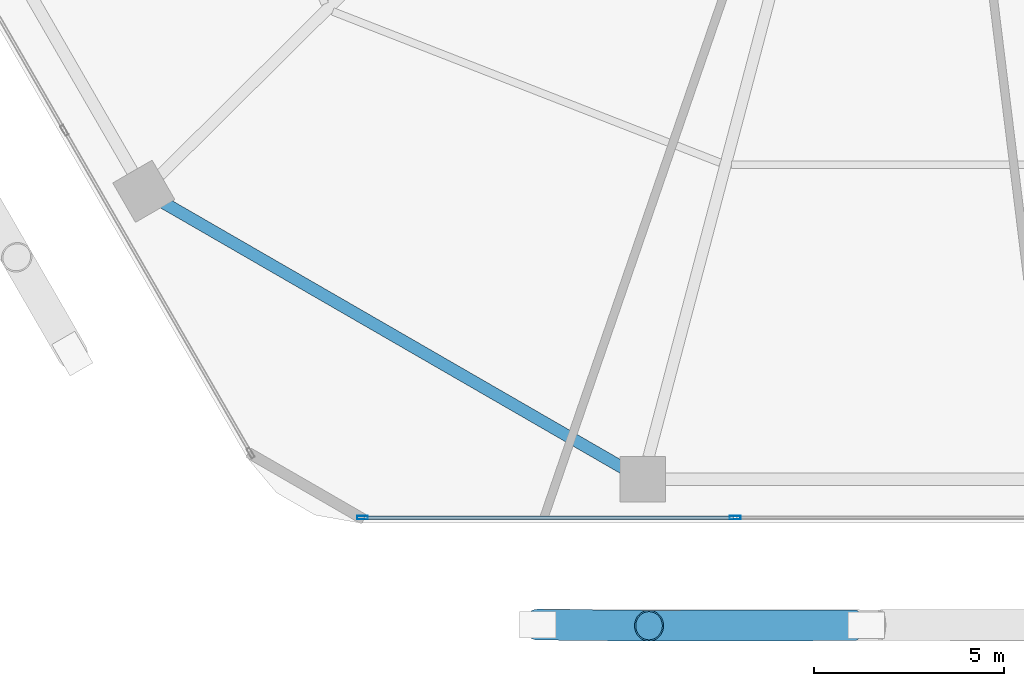
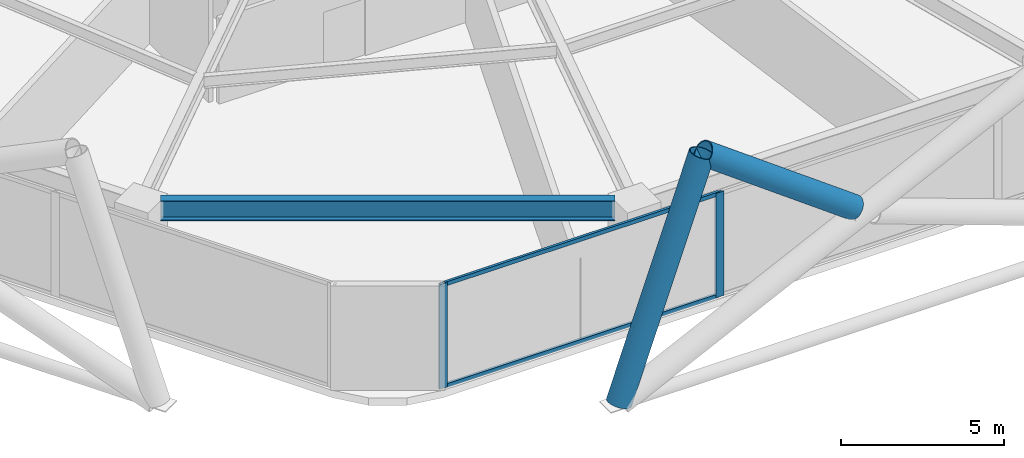
# One storey, part 3 of 28: 6 members, 1 beam, 1 element without a shape of its own.
"""IFC4 building model written with IfcOpenShell, lengths in metres."""

from ifc_helpers import new_model, si_unit, direction, frame, origin, origin_2d, place, context, subcontext, project, spatial, hollow_rectangle, hollow_circle, i_section, extrude, material, material_profile, profile_set, type_object, element, aggregate, save


model = new_model("IFC4")

# Units and contexts
model_context = context("Model", 3, precision=1e-05, world=origin(), true_north=direction((0.0, 1.0)))
body_context = subcontext(model_context, "Body", "Model", "MODEL_VIEW")
ifc_project = project(units=[si_unit("LENGTHUNIT", "METRE"), si_unit("AREAUNIT", "SQUARE_METRE"), si_unit("VOLUMEUNIT", "CUBIC_METRE"), si_unit("PLANEANGLEUNIT", "RADIAN"), si_unit("MASSUNIT", "GRAM", prefix="KILO")], contexts=[model_context])

# Site, building, storey
site_placement = place(None, origin())
site = spatial("IfcSite", under=ifc_project, at=site_placement, CompositionType="ELEMENT")
building_placement = place(site_placement, origin())
building = spatial("IfcBuilding", under=site, at=building_placement, Name="Zuhravey Tower", CompositionType="ELEMENT")
storey_placement = place(building_placement, frame((0.0, 0.0, 24.60009765625)))
storey = spatial("IfcBuildingStorey", under=building, at=storey_placement, Name="L06", CompositionType="ELEMENT", Elevation=24.60009765625)

# Curtain wall, members
ifc_material_1 = material(Name="Thermally broken anodised aluminium", Category="aluminium")
curtain_wall_type = type_object("IfcCurtainWallType", Name="School Low-E Unitised Curtain Wall CW1", PredefinedType="NOTDEFINED", material=ifc_material_1)
curtain_wall_placement = place(storey_placement, origin())
curtain_wall = element("IfcCurtainWall", 1, at=curtain_wall_placement, inside=storey, type_object=curtain_wall_type, Name="L06 CW1 CW-L06-F5-1", PredefinedType="NOTDEFINED")
ifc_material_2 = material(Name="Anodised aluminium", Category="aluminium")
ifc_material_profile_1 = material_profile(ifc_material_2, hollow_rectangle(XDim=0.090087890625, YDim=0.284912109375, WallThickness=0.0048828125, at=origin_2d()), Name="ALU-RHS-90x285x5")
ifc_profile_set_1 = profile_set([ifc_material_profile_1], Name="Anodised aluminium")
member_type_1 = type_object("IfcMemberType", Name="Curtain-Wall Mullion 90x180", PredefinedType="MULLION", material=ifc_profile_set_1)
member_1_placement = place(storey_placement, frame((31.06689453125, 3.04150390625, 0.0), z_axis=(0.0, 0.0, 1.0), x_axis=(0.0, -1.0, 0.0)))
member_1 = element("IfcMember", 2, at=member_1_placement, type_object=member_type_1, Name="CW1 mullion 3", PredefinedType="MULLION", context=body_context, shape_type="SweptSolid", body=[
    extrude(hollow_rectangle(XDim=0.090087890625, YDim=0.284912109375, WallThickness=0.0048828125, at=origin_2d()), origin(), (0.0, 0.0, 1.0), 3.919921875),
])
member_2_placement = place(storey_placement, frame((21.24560546875, 3.04150390625, 0.0), z_axis=(0.0, 0.0, 1.0), x_axis=(0.0, -1.0, 0.0)))
member_2 = element("IfcMember", 3, at=member_2_placement, type_object=member_type_1, Name="CW1 mullion 4", PredefinedType="MULLION", context=body_context, shape_type="SweptSolid", body=[
    extrude(hollow_rectangle(XDim=0.090087890625, YDim=0.284912109375, WallThickness=0.0048828125, at=origin_2d()), origin(), (0.0, 0.0, 1.0), 3.919921875),
])
ifc_material_profile_2 = material_profile(ifc_material_2, hollow_rectangle(XDim=0.090087890625, YDim=0.14990234375, WallThickness=0.0048828125, at=origin_2d()), Name="ALU-RHS-90x150x5")
ifc_profile_set_2 = profile_set([ifc_material_profile_2], Name="Anodised aluminium")
member_type_2 = type_object("IfcMemberType", Name="Curtain-Wall Transom 90x150", PredefinedType="USERDEFINED", material=ifc_profile_set_2)
member_3_placement = place(storey_placement, frame((31.021728515625, 3.04150390625, 0.044921875), z_axis=(-1.0, 0.0, 0.0), x_axis=(0.0, -1.0, 0.0)))
member_3 = element("IfcMember", 4, at=member_3_placement, type_object=member_type_2, Name="CW1 transom 3.1", ObjectType="TRANSOM", PredefinedType="USERDEFINED", context=body_context, shape_type="SweptSolid", body=[
    extrude(hollow_rectangle(XDim=0.090087890625, YDim=0.14990234375, WallThickness=0.0048828125, at=origin_2d()), origin(), (0.0, 0.0, 1.0), 9.731201171875),
])
member_4_placement = place(storey_placement, frame((31.021728515625, 3.04150390625, 3.875), z_axis=(-1.0, 0.0, 0.0), x_axis=(0.0, -1.0, 0.0)))
member_4 = element("IfcMember", 5, at=member_4_placement, type_object=member_type_2, Name="CW1 transom 3.2", ObjectType="TRANSOM", PredefinedType="USERDEFINED", context=body_context, shape_type="SweptSolid", body=[
    extrude(hollow_rectangle(XDim=0.090087890625, YDim=0.14990234375, WallThickness=0.0048828125, at=origin_2d()), origin(), (0.0, 0.0, 1.0), 9.731201171875),
])
aggregate(curtain_wall, [member_1, member_2, member_3, member_4])

# Members
ifc_material_3 = material(Name="Steel SM460", Category="steel")
ifc_material_profile_3 = material_profile(ifc_material_3, hollow_circle(Radius=0.406494140625, WallThickness=0.035888671875, at=origin_2d()), Name="CHS-812.8x36")
ifc_profile_set_3 = profile_set([ifc_material_profile_3], Name="Steel SM460")
member_type_3 = type_object("IfcMemberType", Name="Exoskeleton Zone 1 Diagrid CHS813x36", PredefinedType="BRACE", material=ifc_profile_set_3)
member_5_placement = place(storey_placement, frame((25.870849609375, 0.221435546875, -0.47216796875), z_axis=(0.330640861788, -0.003364038457, 0.943750657622), x_axis=(0.010173770828, 0.999948245854, 0.0)))
element("IfcMember", 6, at=member_5_placement, inside=storey, type_object=member_type_3, Name="L06 Face 5 Diagrid Brace 1", PredefinedType="BRACE", context=body_context, shape_type="SweptSolid", body=[
    extrude(hollow_circle(Radius=0.406494140625, WallThickness=0.035888671875, at=origin_2d()), origin(), (0.0, 0.0, 1.0), 8.85400390625),
])
member_6_placement = place(storey_placement, frame((34.208740234375, 0.20556640625, 3.9404296875), z_axis=(-0.806161607872, -0.002092210156, 0.591691714197), x_axis=(0.00259526513, -0.999996632294, 0.0)))
element("IfcMember", 7, at=member_6_placement, inside=storey, type_object=member_type_3, Name="L06 Face 5 Split Diagrid Brace 3B", PredefinedType="BRACE", context=body_context, shape_type="SweptSolid", body=[
    extrude(hollow_circle(Radius=0.406494140625, WallThickness=0.035888671875, at=origin_2d()), origin(), (0.0, 0.0, 1.0), 6.6513671875),
])

# Beam
ifc_material_4 = material(Name="Steel SM355", Category="steel")
ifc_material_profile_4 = material_profile(ifc_material_4, i_section(OverallWidth=0.320068359375, OverallDepth=0.75, WebThickness=0.013916015625, FlangeThickness=0.02490234375, at=origin_2d()), Name="H-750x320x14x25")
ifc_profile_set_4 = profile_set([ifc_material_profile_4], Name="Steel SM355")
beam_type = type_object("IfcBeamType", Name="Perimeter Ring Beam H750x320", PredefinedType="BEAM", material=ifc_profile_set_4)
beam_placement = place(storey_placement, frame((16.003173828125, 11.341552734375, 3.544921875), z_axis=(0.866029969761, -0.499992091414, 0.0), x_axis=(0.499992091414, 0.866029969761, 0.0)))
element("IfcBeam", 8, at=beam_placement, inside=storey, type_object=beam_type, Name="L06 PB1 BM-L06-PB-08", PredefinedType="BEAM", context=body_context, shape_type="SweptSolid", body=[
    extrude(i_section(OverallWidth=0.320068359375, OverallDepth=0.75, WebThickness=0.013916015625, FlangeThickness=0.02490234375, at=origin_2d()), origin(), (0.0, 0.0, 1.0), 13.977294921875),
])

save(model, "model.ifc")
